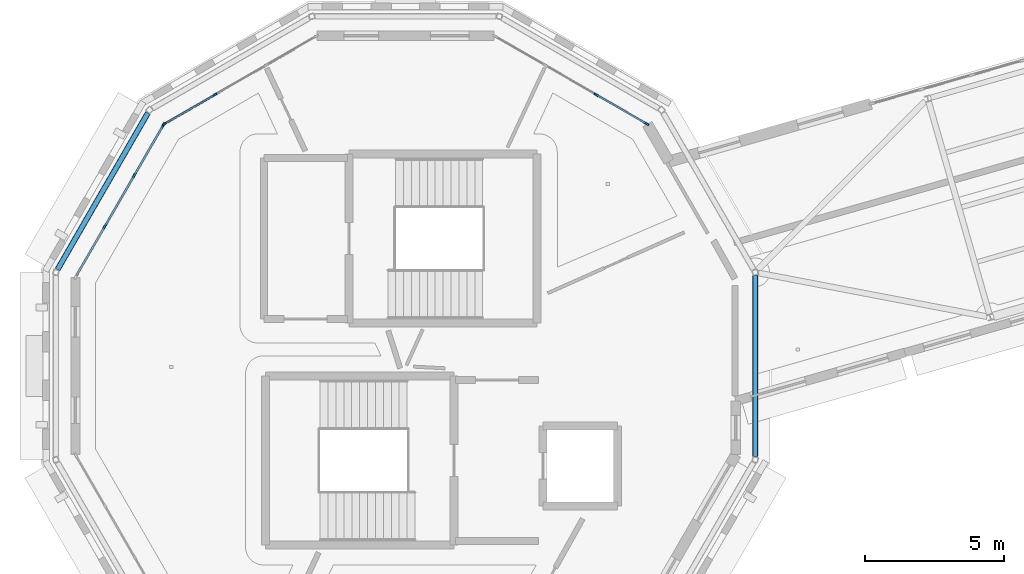
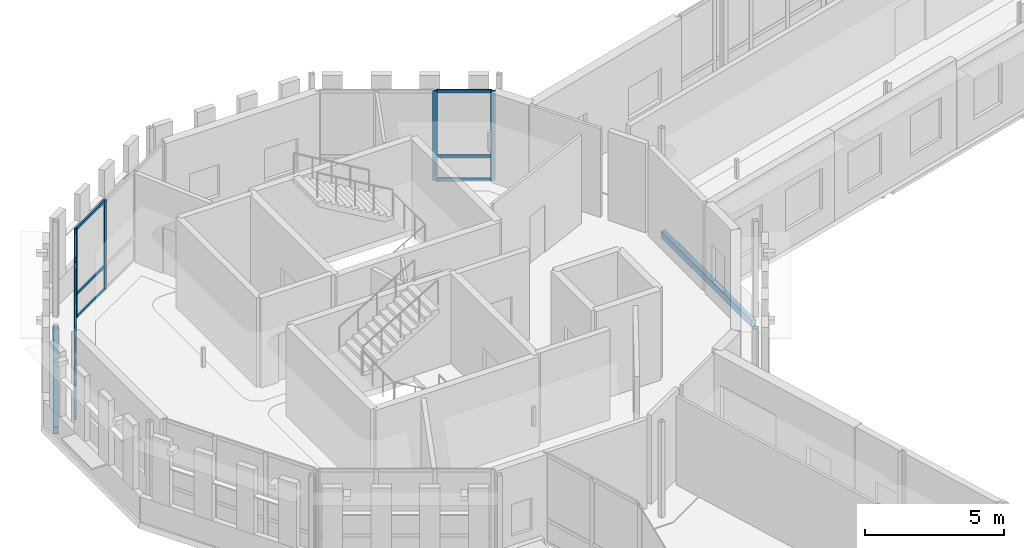
# One storey, part 40 of 125: 22 members, 2 beams, 3 elements without a shape of their own.
"""IFC4 building model written with IfcOpenShell, lengths in metres."""

from ifc_helpers import new_model, si_unit, direction, frame, origin, origin_2d, place, context, subcontext, project, spatial, rectangle, hollow_rectangle, extrude, material, material_profile, profile_set, type_object, element, aggregate, save


model = new_model("IFC4")

# Units and contexts
model_context = context("Model", 3, precision=1e-05, world=origin(), true_north=direction((0.0, 1.0)))
body_context = subcontext(model_context, "Body", "Model", "MODEL_VIEW")
ifc_project = project(units=[si_unit("LENGTHUNIT", "METRE"), si_unit("AREAUNIT", "SQUARE_METRE"), si_unit("VOLUMEUNIT", "CUBIC_METRE"), si_unit("PLANEANGLEUNIT", "RADIAN"), si_unit("MASSUNIT", "GRAM", prefix="KILO")], contexts=[model_context])

# Site, building, storey
site_placement = place(None, origin())
site = spatial("IfcSite", under=ifc_project, at=site_placement, CompositionType="ELEMENT")
building_placement = place(site_placement, origin())
building = spatial("IfcBuilding", under=site, at=building_placement, Name="Wrenclough Park School", CompositionType="ELEMENT")
storey_placement = place(building_placement, frame((0.0, 0.0, 4.199951171875)))
storey = spatial("IfcBuildingStorey", under=building, at=storey_placement, Name="L01", CompositionType="ELEMENT", Elevation=4.199951171875)

# Curtain wall, members
ifc_material_1 = material(Name="Thermally broken aluminium and low-e glass curtain wall", Category="aluminium")
curtain_wall_type_1 = type_object("IfcCurtainWallType", Name="ENV-CW-01", PredefinedType="USERDEFINED", material=ifc_material_1)
curtain_wall_1_placement = place(storey_placement, origin())
curtain_wall_1 = element("IfcCurtainWall", 1, at=curtain_wall_1_placement, inside=storey, type_object=curtain_wall_type_1, Name="L01 recessed curtain wall assembly 096", ObjectType="CURTAIN WALL", PredefinedType="USERDEFINED")
ifc_material_2 = material(Name="Thermally broken anodised aluminium", Category="aluminium")
ifc_material_profile_1 = material_profile(ifc_material_2, rectangle(XDim=0.06005859375, YDim=0.159912109375, at=origin_2d()), Name="AL MULLION 60x160")
ifc_profile_set_1 = profile_set([ifc_material_profile_1], Name="Thermally broken anodised aluminium")
member_type_1 = type_object("IfcMemberType", Name="ENV-CWM-1", PredefinedType="MULLION", material=ifc_profile_set_1)
member_1_placement = place(storey_placement, frame((7.813720703125, 98.232666015625, 0.0), z_axis=(0.0, 0.0, 1.0), x_axis=(-0.499999121909, 0.86602591075, 0.0)))
member_1 = element("IfcMember", 2, at=member_1_placement, type_object=member_type_1, Name="CW-01 mullion 1", PredefinedType="MULLION", context=body_context, shape_type="SweptSolid", body=[
    extrude(rectangle(XDim=0.06005859375, YDim=0.159912109375, at=origin_2d()), origin(), (0.0, 0.0, 1.0), 3.93994140625),
])
member_2_placement = place(storey_placement, frame((9.627197265625, 99.27978515625, 0.0), z_axis=(0.0, 0.0, 1.0), x_axis=(-0.499999121909, 0.86602591075, 0.0)))
member_2 = element("IfcMember", 3, at=member_2_placement, type_object=member_type_1, Name="CW-01 mullion 2", PredefinedType="MULLION", context=body_context, shape_type="SweptSolid", body=[
    extrude(rectangle(XDim=0.06005859375, YDim=0.159912109375, at=origin_2d()), origin(), (0.0, 0.0, 1.0), 3.93994140625),
])

curtain_wall_type_2 = type_object("IfcCurtainWallType", Name="ENV-CW-02", PredefinedType="USERDEFINED", material=ifc_material_1)
curtain_wall_2_placement = place(storey_placement, origin())
curtain_wall_2 = element("IfcCurtainWall", 4, at=curtain_wall_2_placement, inside=storey, type_object=curtain_wall_type_2, Name="L01 recessed curtain wall assembly 097", ObjectType="CURTAIN WALL", PredefinedType="USERDEFINED")
ifc_material_profile_2 = material_profile(ifc_material_2, rectangle(XDim=0.06494140625, YDim=0.179931640625, at=origin_2d()), Name="AL MULLION 65x180")
ifc_profile_set_2 = profile_set([ifc_material_profile_2], Name="Thermally broken anodised aluminium")
member_type_2 = type_object("IfcMemberType", Name="ENV-CWM-2", PredefinedType="MULLION", material=ifc_profile_set_2)
member_3_placement = place(storey_placement, frame((23.372802734375, 99.27978515625, 0.0), z_axis=(0.0, 0.0, 1.0), x_axis=(0.499999121909, 0.86602591075, 0.0)))
member_3 = element("IfcMember", 5, at=member_3_placement, type_object=member_type_2, Name="CW-02 mullion 3", PredefinedType="MULLION", context=body_context, shape_type="SweptSolid", body=[
    extrude(rectangle(XDim=0.06494140625, YDim=0.179931640625, at=origin_2d()), origin(), (0.0, 0.0, 1.0), 3.93994140625),
])
member_4_placement = place(storey_placement, frame((25.18408203125, 98.23388671875, 0.0), z_axis=(0.0, 0.0, 1.0), x_axis=(0.499999121909, 0.86602591075, 0.0)))
member_4 = element("IfcMember", 6, at=member_4_placement, type_object=member_type_2, Name="CW-02 mullion 4", PredefinedType="MULLION", context=body_context, shape_type="SweptSolid", body=[
    extrude(rectangle(XDim=0.06494140625, YDim=0.179931640625, at=origin_2d()), origin(), (0.0, 0.0, 1.0), 3.93994140625),
])

curtain_wall_type_3 = type_object("IfcCurtainWallType", Name="ENV-CW-16", PredefinedType="USERDEFINED", material=ifc_material_1)
curtain_wall_3_placement = place(storey_placement, origin())
curtain_wall_3 = element("IfcCurtainWall", 7, at=curtain_wall_3_placement, inside=storey, type_object=curtain_wall_type_3, Name="L01 recessed curtain wall assembly 095", ObjectType="CURTAIN WALL", PredefinedType="USERDEFINED")
ifc_material_profile_3 = material_profile(ifc_material_2, rectangle(XDim=0.070068359375, YDim=0.199951171875, at=origin_2d()), Name="AL MULLION 70x200")
ifc_profile_set_3 = profile_set([ifc_material_profile_3], Name="Thermally broken anodised aluminium")
member_type_3 = type_object("IfcMemberType", Name="ENV-CWM-3", PredefinedType="MULLION", material=ifc_profile_set_3)
member_5_placement = place(storey_placement, frame((5.658203125, 94.533203125, 0.0), z_axis=(0.0, 0.0, 1.0), x_axis=(-0.86602591075, 0.499999121909, 0.0)))
member_5 = element("IfcMember", 8, at=member_5_placement, type_object=member_type_3, Name="CW-16 mullion 2", PredefinedType="MULLION", context=body_context, shape_type="SweptSolid", body=[
    extrude(rectangle(XDim=0.070068359375, YDim=0.199951171875, at=origin_2d()), origin(), (0.0, 0.0, 1.0), 3.93994140625),
])
member_6_placement = place(storey_placement, frame((6.72021484375, 96.372802734375, 0.0), z_axis=(0.0, 0.0, 1.0), x_axis=(-0.86602591075, 0.499999121909, 0.0)))
member_6 = element("IfcMember", 9, at=member_6_placement, type_object=member_type_3, Name="CW-16 mullion 3", PredefinedType="MULLION", context=body_context, shape_type="SweptSolid", body=[
    extrude(rectangle(XDim=0.070068359375, YDim=0.199951171875, at=origin_2d()), origin(), (0.0, 0.0, 1.0), 3.93994140625),
])
member_7_placement = place(storey_placement, frame((7.764892578125, 98.181884765625, 0.0), z_axis=(0.0, 0.0, 1.0), x_axis=(-0.86602591075, 0.499999121909, 0.0)))
member_7 = element("IfcMember", 10, at=member_7_placement, type_object=member_type_3, Name="CW-16 mullion 4", PredefinedType="MULLION", context=body_context, shape_type="SweptSolid", body=[
    extrude(rectangle(XDim=0.070068359375, YDim=0.199951171875, at=origin_2d()), origin(), (0.0, 0.0, 1.0), 3.93994140625),
])

# Member
ifc_material_profile_4 = material_profile(ifc_material_2, rectangle(XDim=0.06005859375, YDim=0.1201171875, at=origin_2d()), Name="AL TRANSOM 60x120")
ifc_profile_set_4 = profile_set([ifc_material_profile_4], Name="Thermally broken anodised aluminium")
member_type_4 = type_object("IfcMemberType", Name="ENV-CWT-1", PredefinedType="USERDEFINED", material=ifc_profile_set_4)
member_8_placement = place(storey_placement, frame((7.83984375, 98.247802734375, 0.030029296875), z_axis=(0.866055662726, 0.499947586314, 0.0), x_axis=(-0.499947586314, 0.866055662726, 0.0)))
member_8 = element("IfcMember", 11, at=member_8_placement, type_object=member_type_4, Name="CW-01 transom 1.1", ObjectType="TRANSOM", PredefinedType="USERDEFINED", context=body_context, shape_type="SweptSolid", body=[
    extrude(rectangle(XDim=0.06005859375, YDim=0.1201171875, at=origin_2d()), origin(), (0.0, 0.0, 1.0), 2.033935546875),
])

member_9_placement = place(storey_placement, frame((7.83984375, 98.247802734375, 1.050048828125), z_axis=(0.866055662726, 0.499947586314, 0.0), x_axis=(-0.499947586314, 0.866055662726, 0.0)))
member_9 = element("IfcMember", 12, at=member_9_placement, type_object=member_type_4, Name="CW-01 transom 1.2", ObjectType="TRANSOM", PredefinedType="USERDEFINED", context=body_context, shape_type="SweptSolid", body=[
    extrude(rectangle(XDim=0.06005859375, YDim=0.1201171875, at=origin_2d()), origin(), (0.0, 0.0, 1.0), 2.033935546875),
])

member_10_placement = place(storey_placement, frame((7.83984375, 98.247802734375, 3.91015625), z_axis=(0.866055662726, 0.499947586314, 0.0), x_axis=(-0.499947586314, 0.866055662726, 0.0)))
member_10 = element("IfcMember", 13, at=member_10_placement, type_object=member_type_4, Name="CW-01 transom 1.3", ObjectType="TRANSOM", PredefinedType="USERDEFINED", context=body_context, shape_type="SweptSolid", body=[
    extrude(rectangle(XDim=0.06005859375, YDim=0.1201171875, at=origin_2d()), origin(), (0.0, 0.0, 1.0), 2.033935546875),
])

aggregate(curtain_wall_1, [member_1, member_2, member_8, member_9, member_10])

ifc_material_profile_5 = material_profile(ifc_material_2, rectangle(XDim=0.06494140625, YDim=0.139892578125, at=origin_2d()), Name="AL TRANSOM 65x140")
ifc_profile_set_5 = profile_set([ifc_material_profile_5], Name="Thermally broken anodised aluminium")
member_type_5 = type_object("IfcMemberType", Name="ENV-CWT-2", PredefinedType="USERDEFINED", material=ifc_profile_set_5)
member_11_placement = place(storey_placement, frame((23.40087890625, 99.263427734375, 0.032470703125), z_axis=(0.866055192805, -0.499948400353, 0.0), x_axis=(0.499948400353, 0.866055192805, 0.0)))
member_11 = element("IfcMember", 14, at=member_11_placement, type_object=member_type_5, Name="CW-02 transom 3.1", ObjectType="TRANSOM", PredefinedType="USERDEFINED", context=body_context, shape_type="SweptSolid", body=[
    extrude(rectangle(XDim=0.06494140625, YDim=0.139892578125, at=origin_2d()), origin(), (0.0, 0.0, 1.0), 2.026611328125),
])

member_12_placement = place(storey_placement, frame((23.40087890625, 99.263427734375, 1.050048828125), z_axis=(0.866055192805, -0.499948400353, 0.0), x_axis=(0.499948400353, 0.866055192805, 0.0)))
member_12 = element("IfcMember", 15, at=member_12_placement, type_object=member_type_5, Name="CW-02 transom 3.2", ObjectType="TRANSOM", PredefinedType="USERDEFINED", context=body_context, shape_type="SweptSolid", body=[
    extrude(rectangle(XDim=0.06494140625, YDim=0.139892578125, at=origin_2d()), origin(), (0.0, 0.0, 1.0), 2.026611328125),
])

member_13_placement = place(storey_placement, frame((23.40087890625, 99.263427734375, 3.907470703125), z_axis=(0.866055192805, -0.499948400353, 0.0), x_axis=(0.499948400353, 0.866055192805, 0.0)))
member_13 = element("IfcMember", 16, at=member_13_placement, type_object=member_type_5, Name="CW-02 transom 3.3", ObjectType="TRANSOM", PredefinedType="USERDEFINED", context=body_context, shape_type="SweptSolid", body=[
    extrude(rectangle(XDim=0.06494140625, YDim=0.139892578125, at=origin_2d()), origin(), (0.0, 0.0, 1.0), 2.026611328125),
])

aggregate(curtain_wall_2, [member_3, member_4, member_11, member_12, member_13])

ifc_material_profile_6 = material_profile(ifc_material_2, rectangle(XDim=0.070068359375, YDim=0.14990234375, at=origin_2d()), Name="AL TRANSOM 70x150")
ifc_profile_set_6 = profile_set([ifc_material_profile_6], Name="Thermally broken anodised aluminium")
member_type_6 = type_object("IfcMemberType", Name="ENV-CWT-3", PredefinedType="USERDEFINED", material=ifc_profile_set_6)
member_14_placement = place(storey_placement, frame((4.631103515625, 92.75439453125, 0.03515625), z_axis=(0.500001575463, 0.866024494188, 0.0), x_axis=(-0.866024494188, 0.500001575463, 0.0)))
member_14 = element("IfcMember", 17, at=member_14_placement, type_object=member_type_6, Name="CW-16 transom 1.1", ObjectType="TRANSOM", PredefinedType="USERDEFINED", context=body_context, shape_type="SweptSolid", body=[
    extrude(rectangle(XDim=0.070068359375, YDim=0.14990234375, at=origin_2d()), origin(), (0.0, 0.0, 1.0), 2.01904296875),
])

member_15_placement = place(storey_placement, frame((4.631103515625, 92.75439453125, 1.050048828125), z_axis=(0.500001575463, 0.866024494188, 0.0), x_axis=(-0.866024494188, 0.500001575463, 0.0)))
member_15 = element("IfcMember", 18, at=member_15_placement, type_object=member_type_6, Name="CW-16 transom 1.2", ObjectType="TRANSOM", PredefinedType="USERDEFINED", context=body_context, shape_type="SweptSolid", body=[
    extrude(rectangle(XDim=0.070068359375, YDim=0.14990234375, at=origin_2d()), origin(), (0.0, 0.0, 1.0), 2.01904296875),
])

member_16_placement = place(storey_placement, frame((4.631103515625, 92.75439453125, 3.905029296875), z_axis=(0.500001575463, 0.866024494188, 0.0), x_axis=(-0.866024494188, 0.500001575463, 0.0)))
member_16 = element("IfcMember", 19, at=member_16_placement, type_object=member_type_6, Name="CW-16 transom 1.3", ObjectType="TRANSOM", PredefinedType="USERDEFINED", context=body_context, shape_type="SweptSolid", body=[
    extrude(rectangle(XDim=0.070068359375, YDim=0.14990234375, at=origin_2d()), origin(), (0.0, 0.0, 1.0), 2.01904296875),
])

member_17_placement = place(storey_placement, frame((5.67578125, 94.5634765625, 0.03515625), z_axis=(0.500037969364, 0.866003481052, 0.0), x_axis=(-0.866003481052, 0.500037969364, 0.0)))
member_17 = element("IfcMember", 20, at=member_17_placement, type_object=member_type_6, Name="CW-16 transom 2.1", ObjectType="TRANSOM", PredefinedType="USERDEFINED", context=body_context, shape_type="SweptSolid", body=[
    extrude(rectangle(XDim=0.070068359375, YDim=0.14990234375, at=origin_2d()), origin(), (0.0, 0.0, 1.0), 2.053955078125),
])

member_18_placement = place(storey_placement, frame((5.67578125, 94.5634765625, 1.050048828125), z_axis=(0.500037969364, 0.866003481052, 0.0), x_axis=(-0.866003481052, 0.500037969364, 0.0)))
member_18 = element("IfcMember", 21, at=member_18_placement, type_object=member_type_6, Name="CW-16 transom 2.2", ObjectType="TRANSOM", PredefinedType="USERDEFINED", context=body_context, shape_type="SweptSolid", body=[
    extrude(rectangle(XDim=0.070068359375, YDim=0.14990234375, at=origin_2d()), origin(), (0.0, 0.0, 1.0), 2.053955078125),
])

member_19_placement = place(storey_placement, frame((5.67578125, 94.5634765625, 3.905029296875), z_axis=(0.500037969364, 0.866003481052, 0.0), x_axis=(-0.866003481052, 0.500037969364, 0.0)))
member_19 = element("IfcMember", 22, at=member_19_placement, type_object=member_type_6, Name="CW-16 transom 2.3", ObjectType="TRANSOM", PredefinedType="USERDEFINED", context=body_context, shape_type="SweptSolid", body=[
    extrude(rectangle(XDim=0.070068359375, YDim=0.14990234375, at=origin_2d()), origin(), (0.0, 0.0, 1.0), 2.053955078125),
])

member_20_placement = place(storey_placement, frame((6.73779296875, 96.403076171875, 0.03515625), z_axis=(0.500001575463, 0.866024494188, 0.0), x_axis=(-0.866024494188, 0.500001575463, 0.0)))
member_20 = element("IfcMember", 23, at=member_20_placement, type_object=member_type_6, Name="CW-16 transom 3.1", ObjectType="TRANSOM", PredefinedType="USERDEFINED", context=body_context, shape_type="SweptSolid", body=[
    extrude(rectangle(XDim=0.070068359375, YDim=0.14990234375, at=origin_2d()), origin(), (0.0, 0.0, 1.0), 2.01904296875),
])

member_21_placement = place(storey_placement, frame((6.73779296875, 96.403076171875, 1.050048828125), z_axis=(0.500001575463, 0.866024494188, 0.0), x_axis=(-0.866024494188, 0.500001575463, 0.0)))
member_21 = element("IfcMember", 24, at=member_21_placement, type_object=member_type_6, Name="CW-16 transom 3.2", ObjectType="TRANSOM", PredefinedType="USERDEFINED", context=body_context, shape_type="SweptSolid", body=[
    extrude(rectangle(XDim=0.070068359375, YDim=0.14990234375, at=origin_2d()), origin(), (0.0, 0.0, 1.0), 2.01904296875),
])

member_22_placement = place(storey_placement, frame((6.73779296875, 96.403076171875, 3.905029296875), z_axis=(0.500001575463, 0.866024494188, 0.0), x_axis=(-0.866024494188, 0.500001575463, 0.0)))
member_22 = element("IfcMember", 25, at=member_22_placement, type_object=member_type_6, Name="CW-16 transom 3.3", ObjectType="TRANSOM", PredefinedType="USERDEFINED", context=body_context, shape_type="SweptSolid", body=[
    extrude(rectangle(XDim=0.070068359375, YDim=0.14990234375, at=origin_2d()), origin(), (0.0, 0.0, 1.0), 2.01904296875),
])

aggregate(curtain_wall_3, [member_5, member_6, member_7, member_14, member_15, member_16, member_17, member_18, member_19, member_20, member_21, member_22])

# Beams
ifc_material_3 = material(Name="Structural steel S355", Category="steel")
ifc_material_profile_7 = material_profile(ifc_material_3, hollow_rectangle(XDim=0.199951171875, YDim=0.300048828125, WallThickness=0.012451171875, InnerFilletRadius=0.012451171875, OuterFilletRadius=0.018798828125, at=origin_2d()), Name="RHS 300x200x12.5")
ifc_profile_set_7 = profile_set([ifc_material_profile_7], Name="Structural steel S355")
beam_type = type_object("IfcBeamType", Name="STR-BM-RHS300", PredefinedType="SPANDREL", material=ifc_profile_set_7)
beam_1_placement = place(storey_placement, frame((7.21240234375, 98.623779296875, -0.4150390625), z_axis=(-0.500024110927, -0.866011482887, 0.0), x_axis=(0.866011482887, -0.500024110927, 0.0)))
element("IfcBeam", 26, at=beam_1_placement, inside=storey, type_object=beam_type, Name="D3 L01 outer ring spandrel beam 5", PredefinedType="SPANDREL", context=body_context, shape_type="SweptSolid", body=[
    extrude(hollow_rectangle(XDim=0.199951171875, YDim=0.300048828125, WallThickness=0.012451171875, InnerFilletRadius=0.012451171875, OuterFilletRadius=0.018798828125, at=origin_2d()), origin(), (0.0, 0.0, 1.0), 6.515380859375),
])
beam_2_placement = place(storey_placement, frame((29.105224609375, 86.242431640625, -0.4150390625), z_axis=(0.0, 1.0, 0.0), x_axis=(-1.0, 0.0, 0.0)))
element("IfcBeam", 27, at=beam_2_placement, inside=storey, type_object=beam_type, Name="D3 L01 outer ring spandrel beam 12", PredefinedType="SPANDREL", context=body_context, shape_type="SweptSolid", body=[
    extrude(hollow_rectangle(XDim=0.199951171875, YDim=0.300048828125, WallThickness=0.012451171875, InnerFilletRadius=0.012451171875, OuterFilletRadius=0.018798828125, at=origin_2d()), origin(), (0.0, 0.0, 1.0), 6.51513671875),
])

save(model, "model.ifc")
